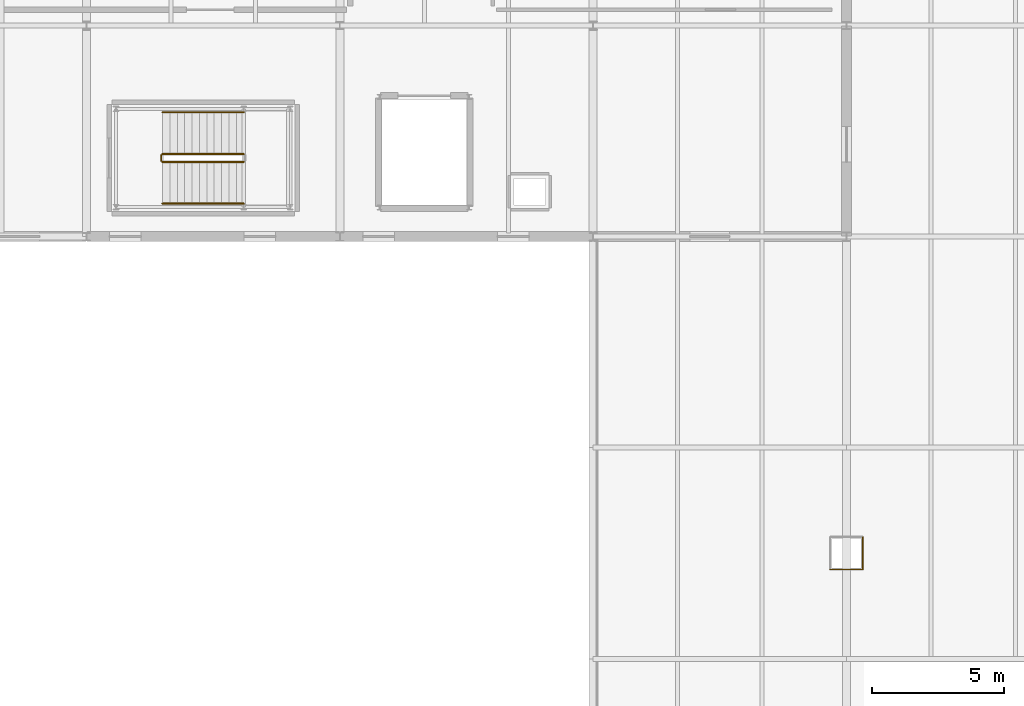
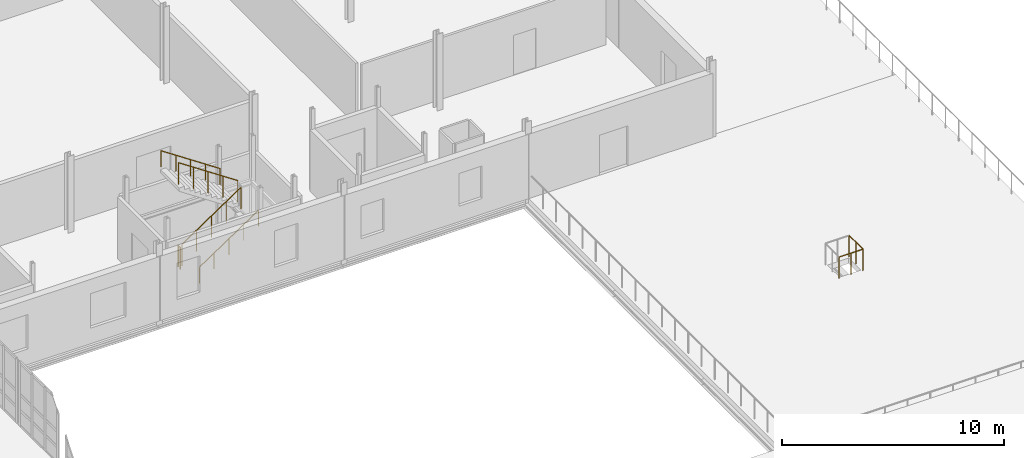
# One storey, part 70 of 73: 6 railings.
"""IFC4 building model written with IfcOpenShell, lengths in metres."""

from ifc_helpers import new_model, si_unit, direction, frame, origin, origin_2d, place, context, subcontext, project, spatial, circle, extrude, material, type_object, element, save


model = new_model("IFC4")

# Units and contexts
model_context = context("Model", 3, precision=1e-05, world=origin(), true_north=direction((0.0, 1.0)))
body_context = subcontext(model_context, "Body", "Model", "MODEL_VIEW")
ifc_project = project(units=[si_unit("LENGTHUNIT", "METRE"), si_unit("AREAUNIT", "SQUARE_METRE"), si_unit("VOLUMEUNIT", "CUBIC_METRE"), si_unit("PLANEANGLEUNIT", "RADIAN"), si_unit("MASSUNIT", "GRAM", prefix="KILO")], contexts=[model_context])

# Site, building, storey
site_placement = place(None, origin())
site = spatial("IfcSite", under=ifc_project, at=site_placement, CompositionType="ELEMENT")
building_placement = place(site_placement, origin())
building = spatial("IfcBuilding", under=site, at=building_placement, Name="Alderhovde Museum", CompositionType="ELEMENT")
storey_placement = place(building_placement, frame((0.0, 0.0, 12.89990234375)))
storey = spatial("IfcBuildingStorey", under=building, at=storey_placement, Name="L03", CompositionType="ELEMENT", Elevation=12.89990234375)

# Railings
ifc_material_1 = material(Name="Bronze-Anodised Steel and Honed Limestone Balustrade", Category="masonry")
railing_type_1 = type_object("IfcRailingType", Name="RL-BALUSTRADE-1200", PredefinedType="BALUSTRADE", material=ifc_material_1)
railing_1_placement = place(storey_placement, frame((152.97998046875, 59.3798828125, 0.0)))
element("IfcRailing", 1, at=railing_1_placement, inside=storey, type_object=railing_type_1, Name="L03 Terrace Planter Guard SLAB-TERR-L03-COURT A", PredefinedType="BALUSTRADE", context=body_context, shape_type="SweptSolid", body=[
    extrude(circle(Radius=0.02392578125, at=origin_2d()), frame((0.0, 0.0, 1.17578125), z_axis=(1.0, 0.0, 0.0), x_axis=(0.0, 1.0, 0.0)), (0.0, 0.0, 1.0), 1.239990234375),
    extrude(circle(Radius=0.02392578125, at=origin_2d()), frame((1.239990234375, 0.0, 1.17578125), z_axis=(0.0, 1.0, 0.0), x_axis=(-1.0, 0.0, 0.0)), (0.0, 0.0, 1.0), 1.240234375),
    extrude(circle(Radius=0.02099609375, at=origin_2d()), origin(), (0.0, 0.0, 1.0), 1.15185546875),
    extrude(circle(Radius=0.02099609375, at=origin_2d()), frame((0.6201171875, 0.0, 0.0)), (0.0, 0.0, 1.0), 1.15185546875),
    extrude(circle(Radius=0.02099609375, at=origin_2d()), frame((1.239990234375, 0.0, 0.0)), (0.0, 0.0, 1.0), 1.15185546875),
    extrude(circle(Radius=0.02099609375, at=origin_2d()), frame((1.239990234375, 0.6201171875, 0.0)), (0.0, 0.0, 1.0), 1.15185546875),
    extrude(circle(Radius=0.02099609375, at=origin_2d()), frame((1.239990234375, 1.240234375, 0.0)), (0.0, 0.0, 1.0), 1.15185546875),
])
ifc_material_2 = material(Name="Painted Steel S355 Guardrail", Category="steel")
railing_type_2 = type_object("IfcRailingType", Name="RL-GUARD-1200", PredefinedType="GUARDRAIL", material=ifc_material_2)
railing_2_placement = place(storey_placement, frame((127.679931640625, 74.830078125, 0.1875)))
element("IfcRailing", 2, at=railing_2_placement, inside=storey, type_object=railing_type_2, Name="L03 ST4 stair guard 1", PredefinedType="GUARDRAIL", context=body_context, shape_type="SweptSolid", body=[
    extrude(circle(Radius=0.02392578125, at=origin_2d()), frame((0.0, 0.0, 1.17578125), z_axis=(0.830913701846, 0.0, 0.55640131208), x_axis=(0.0, 1.0, 0.0)), (0.0, 0.0, 1.0), 3.706787109375),
    extrude(circle(Radius=0.02099609375, at=origin_2d()), origin(), (0.0, 0.0, 1.0), 1.15185546875),
    extrude(circle(Radius=0.02099609375, at=origin_2d()), frame((0.77001953125, 0.0, 0.515625)), (0.0, 0.0, 1.0), 1.15185546875),
    extrude(circle(Radius=0.02099609375, at=origin_2d()), frame((1.5400390625, 0.0, 1.03125)), (0.0, 0.0, 1.0), 1.15185546875),
    extrude(circle(Radius=0.02099609375, at=origin_2d()), frame((2.31005859375, 0.0, 1.546875)), (0.0, 0.0, 1.0), 1.15185546875),
    extrude(circle(Radius=0.02099609375, at=origin_2d()), frame((3.080078125, 0.0, 2.0625)), (0.0, 0.0, 1.0), 1.15185546875),
])
railing_3_placement = place(storey_placement, frame((130.760009765625, 75.1298828125, 2.4375)))
element("IfcRailing", 3, at=railing_3_placement, inside=storey, type_object=railing_type_2, Name="L03 ST4 stair guard 3", PredefinedType="GUARDRAIL", context=body_context, shape_type="SweptSolid", body=[
    extrude(circle(Radius=0.02392578125, at=origin_2d()), frame((0.0, 0.0, 1.17578125), z_axis=(-0.830913701846, 0.0, 0.55640131208), x_axis=(0.0, -1.0, 0.0)), (0.0, 0.0, 1.0), 3.706787109375),
    extrude(circle(Radius=0.02099609375, at=origin_2d()), origin(), (0.0, 0.0, 1.0), 1.15185546875),
    extrude(circle(Radius=0.02099609375, at=origin_2d()), frame((-0.77001953125, 0.0, 0.515625)), (0.0, 0.0, 1.0), 1.15185546875),
    extrude(circle(Radius=0.02099609375, at=origin_2d()), frame((-1.5400390625, 0.0, 1.03125)), (0.0, 0.0, 1.0), 1.15185546875),
    extrude(circle(Radius=0.02099609375, at=origin_2d()), frame((-2.31005859375, 0.0, 1.546875)), (0.0, 0.0, 1.0), 1.15185546875),
    extrude(circle(Radius=0.02099609375, at=origin_2d()), frame((-3.080078125, 0.0, 2.0625)), (0.0, 0.0, 1.0), 1.15185546875),
])
railing_4_placement = place(storey_placement, frame((127.6298828125, 74.8798828125, 0.0)))
element("IfcRailing", 4, at=railing_4_placement, inside=storey, type_object=railing_type_2, Name="L03 ST4 stair guard 4", PredefinedType="GUARDRAIL", context=body_context, shape_type="SweptSolid", body=[
    extrude(circle(Radius=0.02392578125, at=origin_2d()), frame((0.0, 0.0, 1.17578125), z_axis=(0.0, 1.0, 0.0), x_axis=(-1.0, 0.0, 0.0)), (0.0, 0.0, 1.0), 0.2001953125),
    extrude(circle(Radius=0.02099609375, at=origin_2d()), origin(), (0.0, 0.0, 1.0), 1.15185546875),
    extrude(circle(Radius=0.02099609375, at=origin_2d()), frame((0.0, 0.2001953125, 0.0)), (0.0, 0.0, 1.0), 1.15185546875),
])
ifc_material_3 = material(Name="Brushed Stainless Steel Handrail", Category="steel")
railing_type_3 = type_object("IfcRailingType", Name="RL-HANDRAIL-900", PredefinedType="HANDRAIL", material=ifc_material_3)
railing_5_placement = place(storey_placement, frame((127.679931640625, 73.25, 0.1875)))
element("IfcRailing", 5, at=railing_5_placement, inside=storey, type_object=railing_type_3, Name="L03 ST4 stair handrail 1", PredefinedType="HANDRAIL", context=body_context, shape_type="SweptSolid", body=[
    extrude(circle(Radius=0.02392578125, at=origin_2d()), frame((0.0, 0.0, 0.8759765625), z_axis=(0.830913701846, 0.0, 0.55640131208), x_axis=(0.0, 1.0, 0.0)), (0.0, 0.0, 1.0), 3.706787109375),
    extrude(circle(Radius=0.02099609375, at=origin_2d()), origin(), (0.0, 0.0, 1.0), 0.851806640625),
    extrude(circle(Radius=0.02099609375, at=origin_2d()), frame((0.77001953125, 0.0, 0.515625)), (0.0, 0.0, 1.0), 0.851806640625),
    extrude(circle(Radius=0.02099609375, at=origin_2d()), frame((1.5400390625, 0.0, 1.03125)), (0.0, 0.0, 1.0), 0.851806640625),
    extrude(circle(Radius=0.02099609375, at=origin_2d()), frame((2.31005859375, 0.0, 1.546875)), (0.0, 0.0, 1.0), 0.851806640625),
    extrude(circle(Radius=0.02099609375, at=origin_2d()), frame((3.080078125, 0.0, 2.0625)), (0.0, 0.0, 1.0), 0.851806640625),
])
railing_6_placement = place(storey_placement, frame((130.760009765625, 76.7099609375, 2.4375)))
element("IfcRailing", 6, at=railing_6_placement, inside=storey, type_object=railing_type_3, Name="L03 ST4 stair handrail 2", PredefinedType="HANDRAIL", context=body_context, shape_type="SweptSolid", body=[
    extrude(circle(Radius=0.02392578125, at=origin_2d()), frame((0.0, 0.0, 0.8759765625), z_axis=(-0.830913701846, 0.0, 0.55640131208), x_axis=(0.0, -1.0, 0.0)), (0.0, 0.0, 1.0), 3.706787109375),
    extrude(circle(Radius=0.02099609375, at=origin_2d()), origin(), (0.0, 0.0, 1.0), 0.851806640625),
    extrude(circle(Radius=0.02099609375, at=origin_2d()), frame((-0.77001953125, 0.0, 0.515625)), (0.0, 0.0, 1.0), 0.851806640625),
    extrude(circle(Radius=0.02099609375, at=origin_2d()), frame((-1.5400390625, 0.0, 1.03125)), (0.0, 0.0, 1.0), 0.851806640625),
    extrude(circle(Radius=0.02099609375, at=origin_2d()), frame((-2.31005859375, 0.0, 1.546875)), (0.0, 0.0, 1.0), 0.851806640625),
    extrude(circle(Radius=0.02099609375, at=origin_2d()), frame((-3.080078125, 0.0, 2.0625)), (0.0, 0.0, 1.0), 0.851806640625),
])

save(model, "model.ifc")
